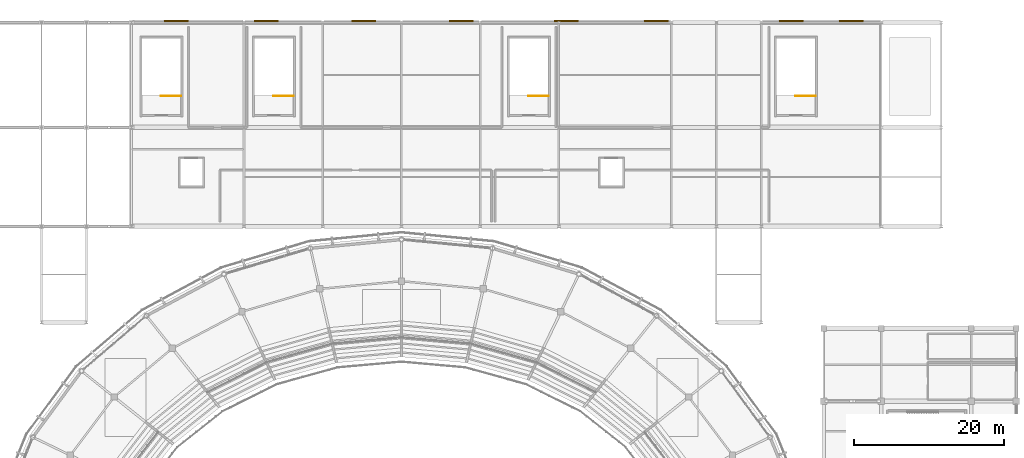
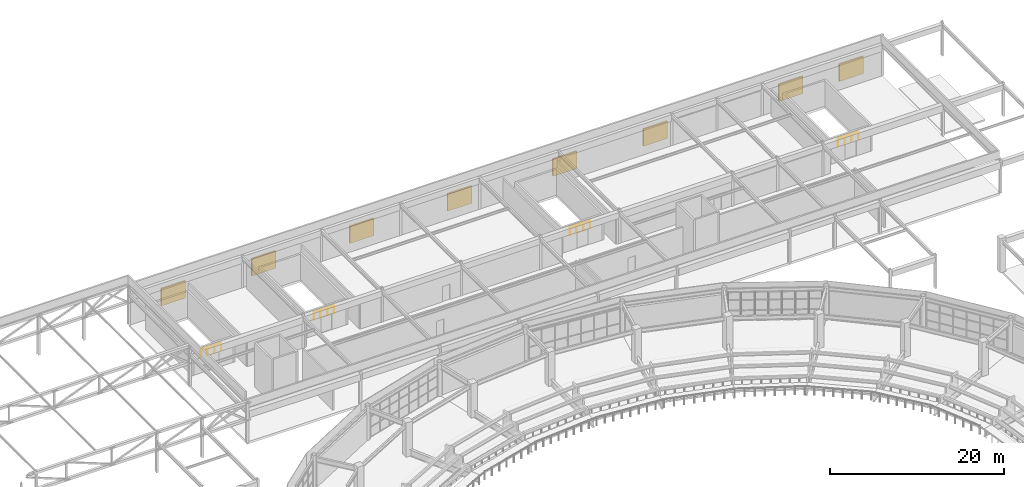
# One storey, part 122 of 122: 8 shading devices, 4 railings.
"""IFC4 building model written with IfcOpenShell, lengths in metres."""

from ifc_helpers import new_model, si_unit, direction, frame, origin, origin_2d, place, context, subcontext, project, spatial, rectangle, circle, extrude, material, type_object, element, save


model = new_model("IFC4")

# Units and contexts
model_context = context("Model", 3, precision=1e-05, world=origin(), true_north=direction((0.0, 1.0)))
body_context = subcontext(model_context, "Body", "Model", "MODEL_VIEW")
ifc_project = project(units=[si_unit("LENGTHUNIT", "METRE"), si_unit("AREAUNIT", "SQUARE_METRE"), si_unit("VOLUMEUNIT", "CUBIC_METRE"), si_unit("PLANEANGLEUNIT", "RADIAN"), si_unit("MASSUNIT", "GRAM", prefix="KILO")], contexts=[model_context])

# Site, building, storey
site_placement = place(None, origin())
site = spatial("IfcSite", under=ifc_project, at=site_placement, CompositionType="ELEMENT")
building_placement = place(site_placement, origin())
building = spatial("IfcBuilding", under=site, at=building_placement, Name="Cuetzalor Civic Arena", CompositionType="ELEMENT")
storey_placement = place(building_placement, frame((0.0, 0.0, 16.199951171875)))
storey = spatial("IfcBuildingStorey", under=building, at=storey_placement, Name="L03", CompositionType="ELEMENT", Elevation=16.199951171875)

# Shading devices
ifc_material_1 = material(Name="Charcoal acoustic anodised aluminium louvre", Category="aluminium")
shading_device_type = type_object("IfcShadingDeviceType", Name="AcousticPlantLouvre_Jalousie", PredefinedType="JALOUSIE", material=ifc_material_1)
for number, where, z_axis, x_axis, name in (
    (1, (-30.0, 75.719970703125, 1.0), (0.0, 0.0, 1.0), (1.0, 0.0, 0.0), "Acoustic Plant Intake Louvre L03-01"),
    (2, (-18.0, 75.719970703125, 1.0), (0.0, 0.0, 1.0), (1.0, 0.0, 0.0), "Acoustic Plant Intake Louvre L03-02"),
    (3, (-5.0, 75.719970703125, 1.0), (0.0, 0.0, 1.0), (1.0, 0.0, 0.0), "Acoustic Plant Intake Louvre L03-03"),
    (4, (8.0, 75.719970703125, 1.0), (0.0, 0.0, 1.0), (1.0, 0.0, 0.0), "Acoustic Plant Intake Louvre L03-04"),
    (5, (22.0, 75.719970703125, 1.0), (0.0, 0.0, 1.0), (1.0, 0.0, 0.0), "Acoustic Plant Intake Louvre L03-05"),
    (6, (34.0, 75.719970703125, 1.0), (0.0, 0.0, 1.0), (1.0, 0.0, 0.0), "Acoustic Plant Intake Louvre L03-06"),
    (7, (52.0, 75.719970703125, 1.0), (0.0, 0.0, 1.0), (1.0, 0.0, 0.0), "Acoustic Plant Intake Louvre L03-07"),
    (8, (60.0, 75.719970703125, 1.0), (0.0, 0.0, 1.0), (1.0, 0.0, 0.0), "Acoustic Plant Intake Louvre L03-08"),
):
    element("IfcShadingDevice", number, at=place(storey_placement, frame(where, z_axis=z_axis, x_axis=x_axis)), inside=storey, type_object=shading_device_type, Name=name, PredefinedType="JALOUSIE", context=body_context, shape_type="SweptSolid", body=[
        extrude(rectangle(XDim=3.199951171875, YDim=0.219970703125, at=origin_2d()), origin(), (0.0, 0.0, 1.0), 2.39990234375),
    ])

# Railings
ifc_material_2 = material(Name="Reseda-green architectural Steel S355 balustrade", Category="steel")
railing_type = type_object("IfcRailingType", Name="InteriorVoidBalustrade_1100", PredefinedType="BALUSTRADE", material=ifc_material_2)
for number, where, name in (
    (9, (-29.39990234375, 65.699951171875, 0.0), "L03 ST-24 top well guard 1"),
    (10, (-14.39990234375, 65.699951171875, 0.0), "L03 ST-25 top well guard 1"),
    (11, (19.60009765625, 65.699951171875, 0.0), "L03 ST-26 top well guard 1"),
):
    element("IfcRailing", number, at=place(storey_placement, frame(where)), inside=storey, type_object=railing_type, Name=name, PredefinedType="BALUSTRADE", context=body_context, shape_type="SweptSolid", body=[
        extrude(circle(Radius=0.02392578125, at=origin_2d()), frame((0.0, 0.0, 1.0810546875), z_axis=(-1.0, 0.0, 0.0), x_axis=(0.0, -1.0, 0.0)), (0.0, 0.0, 1.0), 2.7001953125),
        extrude(circle(Radius=0.02099609375, at=origin_2d()), origin(), (0.0, 0.0, 1.0), 1.056884765625),
        extrude(circle(Radius=0.02099609375, at=origin_2d()), frame((-0.900146484375, 0.0, 0.0)), (0.0, 0.0, 1.0), 1.056884765625),
        extrude(circle(Radius=0.02099609375, at=origin_2d()), frame((-1.800048828125, 0.0, 0.0)), (0.0, 0.0, 1.0), 1.056884765625),
        extrude(circle(Radius=0.02099609375, at=origin_2d()), frame((-2.7001953125, 0.0, 0.0)), (0.0, 0.0, 1.0), 1.056884765625),
    ])
railing_placement = place(storey_placement, frame((55.199951171875, 65.699951171875, 0.0)))
element("IfcRailing", 12, at=railing_placement, inside=storey, type_object=railing_type, Name="L03 ST-27 top well guard 1", PredefinedType="BALUSTRADE", context=body_context, shape_type="SweptSolid", body=[
    extrude(circle(Radius=0.02392578125, at=origin_2d()), frame((0.0, 0.0, 1.0810546875), z_axis=(-1.0, 0.0, 0.0), x_axis=(0.0, -1.0, 0.0)), (0.0, 0.0, 1.0), 2.699951171875),
    extrude(circle(Radius=0.02099609375, at=origin_2d()), origin(), (0.0, 0.0, 1.0), 1.056884765625),
    extrude(circle(Radius=0.02099609375, at=origin_2d()), frame((-0.89990234375, 0.0, 0.0)), (0.0, 0.0, 1.0), 1.056884765625),
    extrude(circle(Radius=0.02099609375, at=origin_2d()), frame((-1.800048828125, 0.0, 0.0)), (0.0, 0.0, 1.0), 1.056884765625),
    extrude(circle(Radius=0.02099609375, at=origin_2d()), frame((-2.699951171875, 0.0, 0.0)), (0.0, 0.0, 1.0), 1.056884765625),
])

save(model, "model.ifc")
